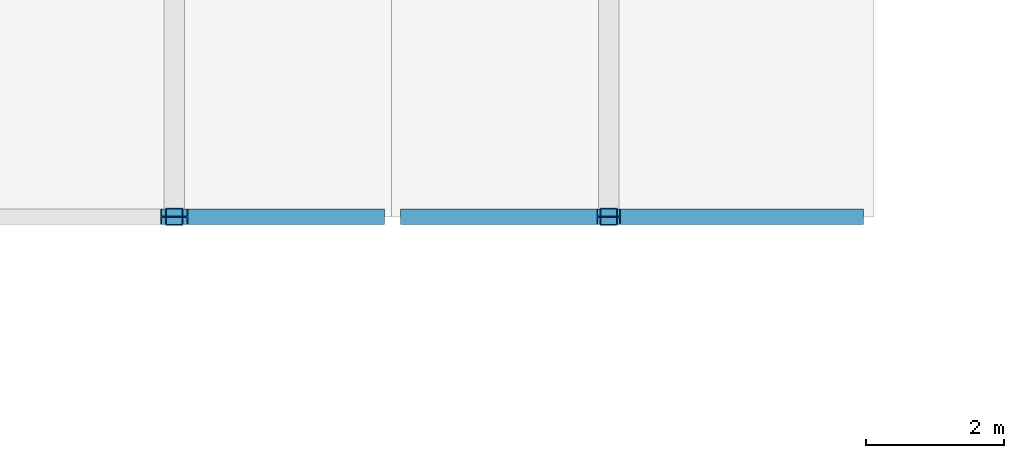
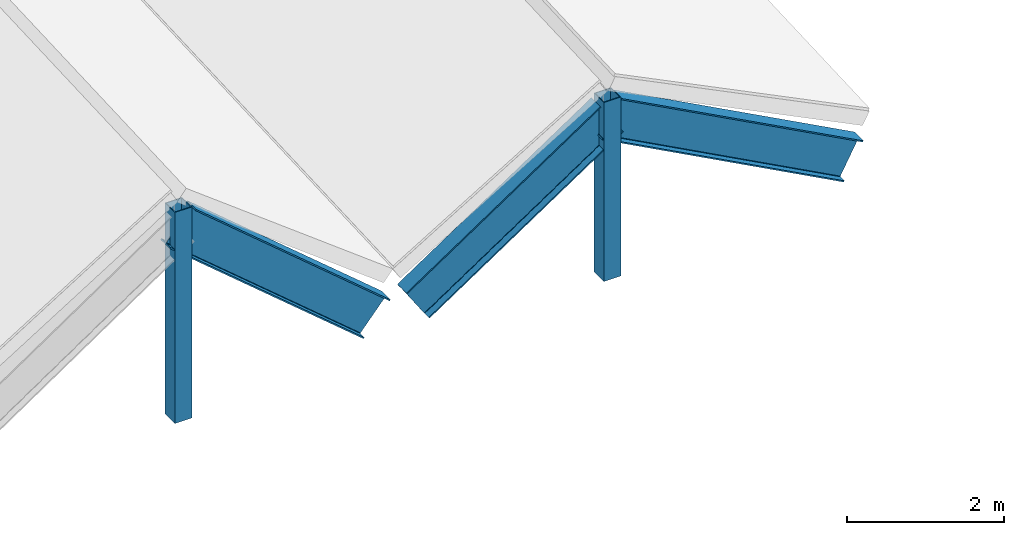
# One storey, part 8 of 127: 3 beams, 2 members.
"""IFC4 building model written with IfcOpenShell, lengths in metres."""

from ifc_helpers import new_model, si_unit, direction, frame, origin, origin_2d, place, context, subcontext, project, spatial, hollow_rectangle, i_section, extrude, material, material_profile, profile_set, type_object, element, save


model = new_model("IFC4")

# Units and contexts
model_context = context("Model", 3, precision=1e-05, world=origin(), true_north=direction((0.0, 1.0)))
body_context = subcontext(model_context, "Body", "Model", "MODEL_VIEW")
ifc_project = project(units=[si_unit("LENGTHUNIT", "METRE"), si_unit("AREAUNIT", "SQUARE_METRE"), si_unit("VOLUMEUNIT", "CUBIC_METRE"), si_unit("PLANEANGLEUNIT", "RADIAN"), si_unit("MASSUNIT", "GRAM", prefix="KILO")], contexts=[model_context])

# Site, building, storey
site_placement = place(None, origin())
site = spatial("IfcSite", under=ifc_project, at=site_placement, CompositionType="ELEMENT")
building_placement = place(site_placement, origin())
building = spatial("IfcBuilding", under=site, at=building_placement, Name="Kestramere Prow Commons", CompositionType="ELEMENT")
storey_placement = place(building_placement, frame((0.0, 0.0, 8.39990234375)))
storey = spatial("IfcBuildingStorey", under=building, at=storey_placement, Name="L02", CompositionType="ELEMENT", Elevation=8.39990234375)

# Beams
ifc_material = material(Name="Steel S355JR", Category="steel")
ifc_material_profile_1 = material_profile(ifc_material, i_section(OverallWidth=0.22900390625, OverallDepth=0.6123046875, WebThickness=0.011962890625, FlangeThickness=0.01953125, FilletRadius=0.0126953125, at=origin_2d()), Name="UB 610x229x125")
ifc_profile_set_1 = profile_set([ifc_material_profile_1], Name="Steel S355JR")
beam_type = type_object("IfcBeamType", Name="BM-FP-GAB UB 610x229x125", PredefinedType="BEAM", material=ifc_profile_set_1)
beam_1_placement = place(storey_placement, frame((41.050048828125, 7.5, 1.841552734375), z_axis=(0.764875513859, 0.0, -0.644178118457), x_axis=(0.0, 1.0, 0.0)))
element("IfcBeam", 1, at=beam_1_placement, inside=storey, type_object=beam_type, Name="Hall Gable Fold Rafter 6SR", PredefinedType="BEAM", context=body_context, shape_type="SweptSolid", body=[
    extrude(i_section(OverallWidth=0.22900390625, OverallDepth=0.6123046875, WebThickness=0.011962890625, FlangeThickness=0.01953125, FilletRadius=0.0126953125, at=origin_2d()), origin(), (0.0, 0.0, 1.0), 3.725830078125),
])
beam_2_placement = place(storey_placement, frame((44.5, 7.5, -0.55859375), z_axis=(0.83203932912, 0.0, 0.554716643699), x_axis=(0.0, 1.0, 0.0)))
element("IfcBeam", 2, at=beam_2_placement, inside=storey, type_object=beam_type, Name="Hall Gable Fold Rafter 7SL", PredefinedType="BEAM", context=body_context, shape_type="SweptSolid", body=[
    extrude(i_section(OverallWidth=0.22900390625, OverallDepth=0.6123046875, WebThickness=0.011962890625, FlangeThickness=0.01953125, FilletRadius=0.0126953125, at=origin_2d()), origin(), (0.0, 0.0, 1.0), 3.425537109375),
])
beam_3_placement = place(storey_placement, frame((47.35009765625, 7.5, 1.341552734375), z_axis=(0.881638569865, 0.0, -0.471925239976), x_axis=(0.0, 1.0, 0.0)))
element("IfcBeam", 3, at=beam_3_placement, inside=storey, type_object=beam_type, Name="Hall Gable Fold Rafter 7SR", PredefinedType="BEAM", context=body_context, shape_type="SweptSolid", body=[
    extrude(i_section(OverallWidth=0.22900390625, OverallDepth=0.6123046875, WebThickness=0.011962890625, FlangeThickness=0.01953125, FilletRadius=0.0126953125, at=origin_2d()), origin(), (0.0, 0.0, 1.0), 4.0263671875),
])

# Members
ifc_material_profile_2 = material_profile(ifc_material, hollow_rectangle(XDim=0.25, YDim=0.25, WallThickness=0.012451171875, at=origin_2d()), Name="SHS 250x250x12.5")
ifc_profile_set_2 = profile_set([ifc_material_profile_2], Name="Steel S355JR")
member_type = type_object("IfcMemberType", Name="BRAPX-01 SHS 250x250x12.5", PredefinedType="BRACE", material=ifc_profile_set_2)
member_1_placement = place(storey_placement, frame((41.050048828125, 7.5, -1.131103515625), z_axis=(0.0, 0.0, 1.0), x_axis=(1.0, 0.0, 0.0)))
element("IfcMember", 4, at=member_1_placement, inside=storey, type_object=member_type, Name="Hall Gable King-Post Diagonal Brace 6S", PredefinedType="BRACE", context=body_context, shape_type="SweptSolid", body=[
    extrude(hollow_rectangle(XDim=0.25, YDim=0.25, WallThickness=0.012451171875, at=origin_2d()), origin(), (0.0, 0.0, 1.0), 3.27880859375),
])
member_2_placement = place(storey_placement, frame((47.35009765625, 7.5, -1.131103515625), z_axis=(0.0, 0.0, 1.0), x_axis=(1.0, 0.0, 0.0)))
element("IfcMember", 5, at=member_2_placement, inside=storey, type_object=member_type, Name="Hall Gable King-Post Diagonal Brace 7S", PredefinedType="BRACE", context=body_context, shape_type="SweptSolid", body=[
    extrude(hollow_rectangle(XDim=0.25, YDim=0.25, WallThickness=0.012451171875, at=origin_2d()), origin(), (0.0, 0.0, 1.0), 2.77880859375),
])

save(model, "model.ifc")
